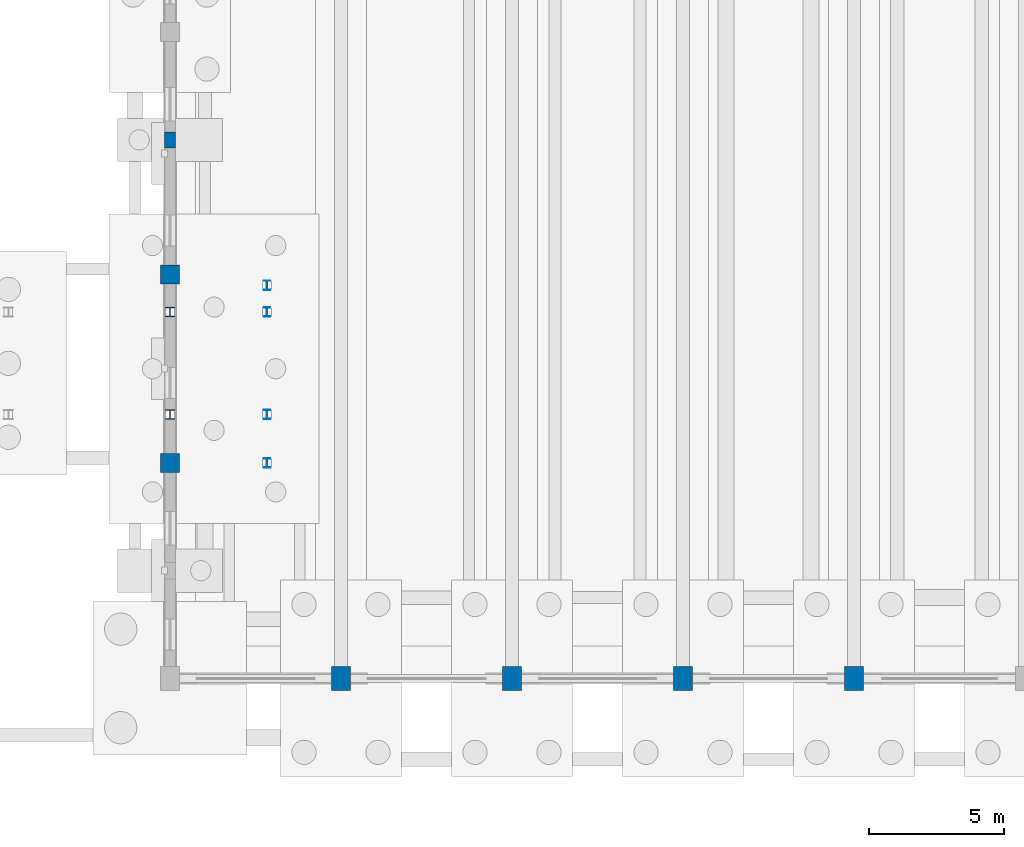
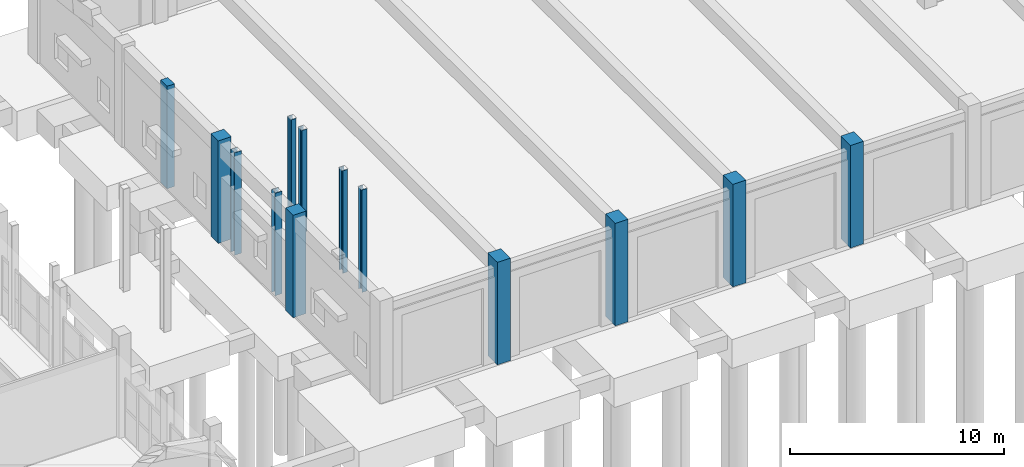
# One storey, part 10 of 60: 13 columns.
"""IFC4 building model written with IfcOpenShell, lengths in metres."""

from ifc_helpers import new_model, si_unit, direction, frame, origin, origin_2d, place, context, subcontext, project, spatial, rectangle, i_section, extrude, material, material_profile, profile_set, type_object, element, save


model = new_model("IFC4")

# Units and contexts
model_context = context("Model", 3, precision=1e-05, world=origin(), true_north=direction((0.0, 1.0)))
body_context = subcontext(model_context, "Body", "Model", "MODEL_VIEW")
ifc_project = project(units=[si_unit("LENGTHUNIT", "METRE"), si_unit("AREAUNIT", "SQUARE_METRE"), si_unit("VOLUMEUNIT", "CUBIC_METRE"), si_unit("PLANEANGLEUNIT", "RADIAN"), si_unit("MASSUNIT", "GRAM", prefix="KILO")], contexts=[model_context])

# Site, building, storey
site_placement = place(None, origin())
site = spatial("IfcSite", under=ifc_project, at=site_placement, CompositionType="ELEMENT")
building_placement = place(site_placement, origin())
building = spatial("IfcBuilding", under=site, at=building_placement, Name="Trellovar Central Fire Station", CompositionType="ELEMENT")
storey_placement = place(building_placement, origin())
storey = spatial("IfcBuildingStorey", under=building, at=storey_placement, Name="L01", CompositionType="ELEMENT", Elevation=0.0)

# Columns
ifc_material_1 = material(Name="Concrete C40/50", Category="concrete")
ifc_material_profile_1 = material_profile(ifc_material_1, rectangle(XDim=0.699951171875, YDim=0.89990234375, at=origin_2d()), Name="RC700X900")
ifc_profile_set_1 = profile_set([ifc_material_profile_1], Name="Concrete C40/50")
column_type_1 = type_object("IfcColumnType", Name="COL-C3", PredefinedType="COLUMN", material=ifc_profile_set_1)
for number, where, z_axis, x_axis, name in (
    (1, (41.35009765625, 14.0, 0.0), (0.0, 0.0, 1.0), (1.0, 0.0, 0.0), "V1 south vault pier L01 X=41.35"),
    (2, (47.699951171875, 14.0, 0.0), (0.0, 0.0, 1.0), (1.0, 0.0, 0.0), "V1 south vault pier L01 X=47.70"),
    (3, (54.050048828125, 14.0, 0.0), (0.0, 0.0, 1.0), (1.0, 0.0, 0.0), "V1 south vault pier L01 X=54.05"),
    (4, (60.39990234375, 14.0, 0.0), (0.0, 0.0, 1.0), (1.0, 0.0, 0.0), "V1 south vault pier L01 X=60.40"),
):
    element("IfcColumn", number, at=place(storey_placement, frame(where, z_axis=z_axis, x_axis=x_axis)), inside=storey, type_object=column_type_1, Name=name, PredefinedType="COLUMN", context=body_context, shape_type="SweptSolid", body=[
        extrude(rectangle(XDim=0.699951171875, YDim=0.89990234375, at=origin_2d()), origin(), (0.0, 0.0, 1.0), 5.85009765625),
    ])
ifc_material_2 = material(Name="Concrete C40/50", Category="concrete")
ifc_material_profile_2 = material_profile(ifc_material_2, rectangle(XDim=0.699951171875, YDim=0.699951171875, at=origin_2d()), Name="RC700X700")
ifc_profile_set_2 = profile_set([ifc_material_profile_2], Name="Concrete C40/50")
column_type_2 = type_object("IfcColumnType", Name="COL-C4", PredefinedType="COLUMN", material=ifc_profile_set_2)
for number, where, z_axis, x_axis, name in (
    (5, (35.0, 22.0, 0.0), (0.0, 0.0, 1.0), (1.0, 0.0, 0.0), "V1 gable pier L01 (35.0,22.0)"),
    (6, (35.0, 29.0, 0.0), (0.0, 0.0, 1.0), (1.0, 0.0, 0.0), "V1 gable pier L01 (35.0,29.0)"),
):
    element("IfcColumn", number, at=place(storey_placement, frame(where, z_axis=z_axis, x_axis=x_axis)), inside=storey, type_object=column_type_2, Name=name, PredefinedType="COLUMN", context=body_context, shape_type="SweptSolid", body=[
        extrude(rectangle(XDim=0.699951171875, YDim=0.699951171875, at=origin_2d()), origin(), (0.0, 0.0, 1.0), 5.85009765625),
    ])
ifc_material_3 = material(Name="Concrete C40/50", Category="concrete")
ifc_material_profile_3 = material_profile(ifc_material_3, rectangle(XDim=0.39990234375, YDim=0.60009765625, at=origin_2d()), Name="RC400X600")
ifc_profile_set_3 = profile_set([ifc_material_profile_3], Name="Concrete C40/50")
column_type_3 = type_object("IfcColumnType", Name="COL-PIL1", PredefinedType="PILASTER", material=ifc_profile_set_3)
column_placement = place(storey_placement, frame((35.0, 34.0, 0.0), z_axis=(0.0, 0.0, 1.0), x_axis=(1.0, 0.0, 0.0)))
element("IfcColumn", 7, at=column_placement, inside=storey, type_object=column_type_3, Name="V1 polychrome gable buttress pier 2", PredefinedType="PILASTER", context=body_context, shape_type="SweptSolid", body=[
    extrude(rectangle(XDim=0.39990234375, YDim=0.60009765625, at=origin_2d()), origin(), (0.0, 0.0, 1.0), 5.85009765625),
])
ifc_material_4 = material(Name="Steel ASTM A992 Grade 50", Category="steel")
ifc_material_profile_4 = material_profile(ifc_material_4, i_section(OverallWidth=0.368896484375, OverallDepth=0.356201171875, WebThickness=0.01123046875, FlangeThickness=0.01806640625, FilletRadius=0.01513671875, at=origin_2d()), Name="W14X90")
ifc_profile_set_4 = profile_set([ifc_material_profile_4], Name="Steel ASTM A992 Grade 50")
column_type_4 = type_object("IfcColumnType", Name="COL-SC1", PredefinedType="COLUMN", material=ifc_profile_set_4)
for number, where, z_axis, x_axis, name in (
    (8, (35.0, 23.800048828125, 0.0), (0.0, 0.0, 1.0), (1.0, 0.0, 0.0), "Cloister bridge pier L01"),
    (9, (35.0, 27.60009765625, 0.0), (0.0, 0.0, 1.0), (1.0, 0.0, 0.0), "Cloister bridge pier L01"),
):
    element("IfcColumn", number, at=place(storey_placement, frame(where, z_axis=z_axis, x_axis=x_axis)), inside=storey, type_object=column_type_4, Name=name, PredefinedType="COLUMN", context=body_context, shape_type="SweptSolid", body=[
        extrude(i_section(OverallWidth=0.368896484375, OverallDepth=0.356201171875, WebThickness=0.01123046875, FlangeThickness=0.01806640625, FilletRadius=0.01513671875, at=origin_2d()), origin(), (0.0, 0.0, 1.0), 5.85009765625),
    ])
ifc_material_5 = material(Name="Steel ASTM A992 Grade 50", Category="steel")
ifc_material_profile_5 = material_profile(ifc_material_5, i_section(OverallWidth=0.253662109375, OverallDepth=0.352783203125, WebThickness=0.009521484375, FlangeThickness=0.016357421875, FilletRadius=0.01513671875, at=origin_2d()), Name="W14X61")
ifc_profile_set_5 = profile_set([ifc_material_profile_5], Name="Steel ASTM A992 Grade 50")
column_type_5 = type_object("IfcColumnType", Name="COL-SC2", PredefinedType="COLUMN", material=ifc_profile_set_5)
for number, where, z_axis, x_axis, name in (
    (10, (38.60009765625, 22.0, 0.0), (0.0, 0.0, 1.0), (1.0, 0.0, 0.0), "V1 west observation gallery column L01"),
    (11, (38.60009765625, 23.800048828125, 0.0), (0.0, 0.0, 1.0), (1.0, 0.0, 0.0), "V1 west observation gallery column L01"),
    (12, (38.60009765625, 27.60009765625, 0.0), (0.0, 0.0, 1.0), (1.0, 0.0, 0.0), "V1 west observation gallery column L01"),
    (13, (38.60009765625, 28.60009765625, 0.0), (0.0, 0.0, 1.0), (1.0, 0.0, 0.0), "V1 west observation gallery column L01"),
):
    element("IfcColumn", number, at=place(storey_placement, frame(where, z_axis=z_axis, x_axis=x_axis)), inside=storey, type_object=column_type_5, Name=name, PredefinedType="COLUMN", context=body_context, shape_type="SweptSolid", body=[
        extrude(i_section(OverallWidth=0.253662109375, OverallDepth=0.352783203125, WebThickness=0.009521484375, FlangeThickness=0.016357421875, FilletRadius=0.01513671875, at=origin_2d()), origin(), (0.0, 0.0, 1.0), 5.85009765625),
    ])

save(model, "model.ifc")
